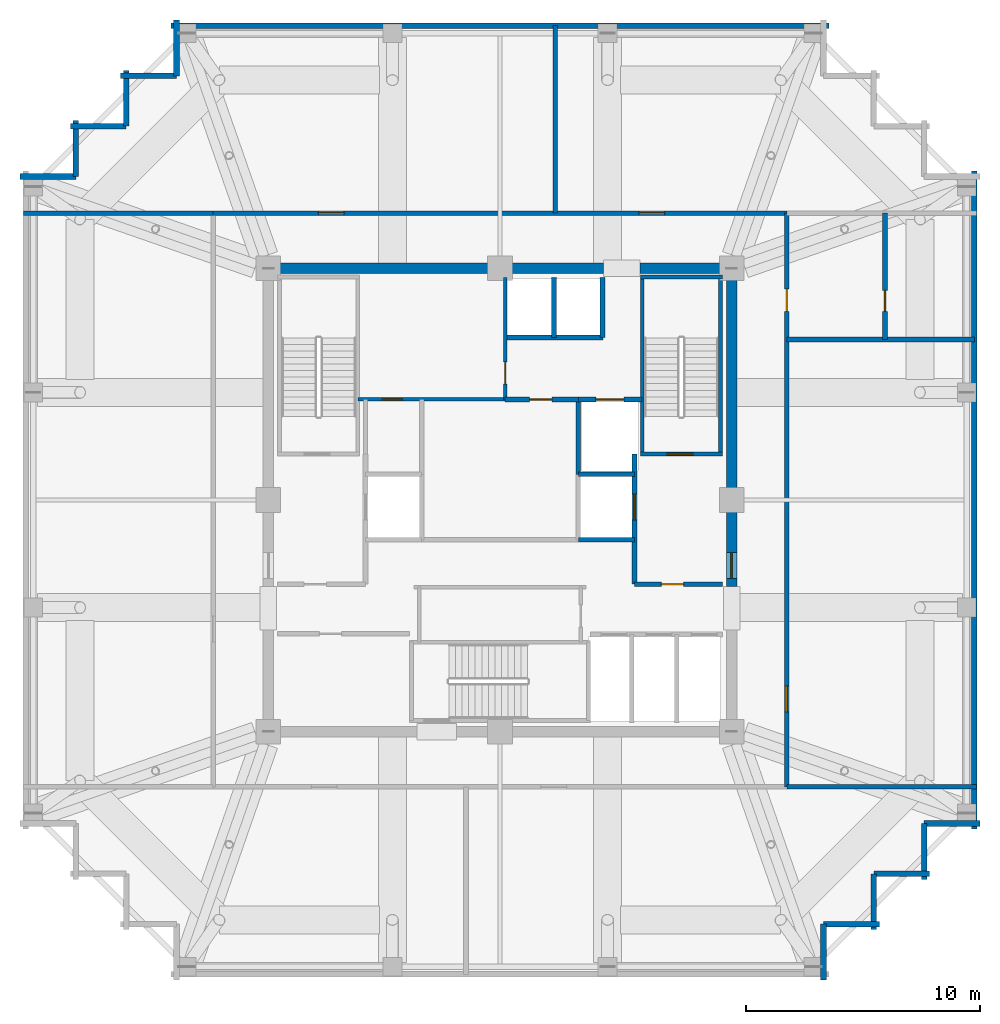
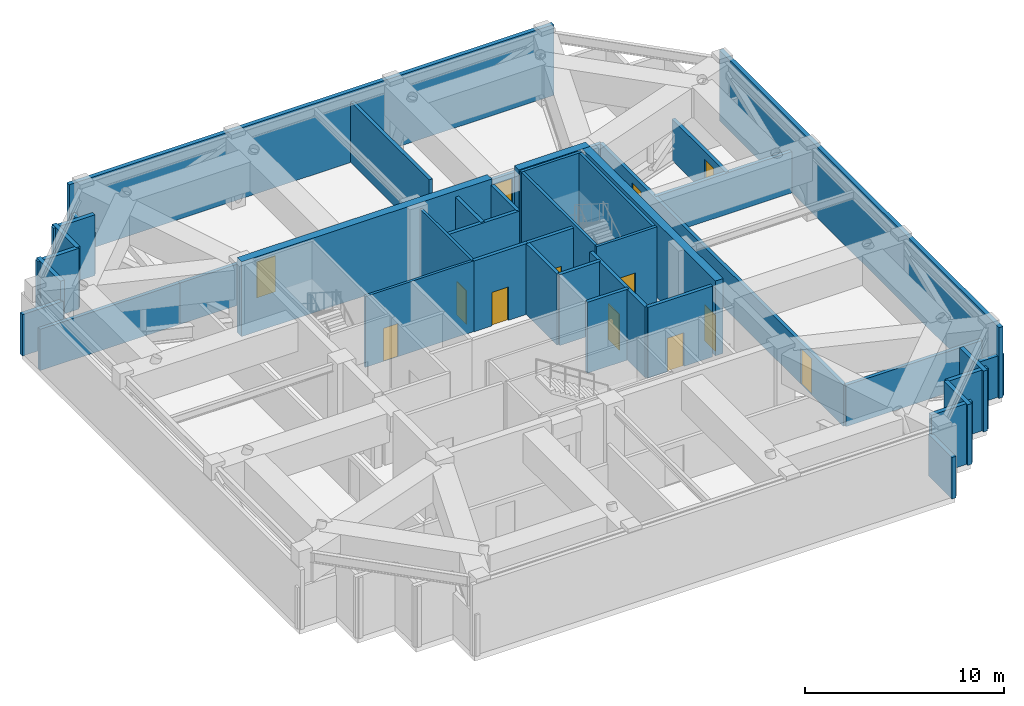
# One storey, part 12 of 14: 40 walls, 13 doors, 13 openings.
"""IFC4 building model written with IfcOpenShell, lengths in metres."""

import ifcopenshell
import ifcopenshell.guid

model = None  # the IFC model being written
_history = None  # IfcOwnerHistory: only IFC2X3 demands one
_inside = {}  # id of a spatial element -> (the spatial element, [elements in it])
_under = {}  # id of a project, library or spatial element -> (it, [spatial elements below it])
_declared = {}  # id of a project -> (the project, [libraries it declares])
_typed = {}  # id of a type object -> (the type object, [elements of that type])
_made_of = {}  # id of a material, layer set ... -> (it, [elements and type objects made of it])


def new_model(schema):
    """Start an empty IFC model of exactly this schema.

    Asked for "IFC4X3", IfcOpenShell would pick the latest addendum, in which some entities
    have other attributes; the version numbers below select the first issue.
    IFC2X3 requires an IfcOwnerHistory on every rooted entity: one is made here for all.
    """
    global model, _history
    if schema == "IFC4X3":
        model = ifcopenshell.file(schema_version=(4, 3, 0, 0))
    else:
        model = ifcopenshell.file(schema=schema)
    _inside.clear()
    _under.clear()
    _declared.clear()
    _typed.clear()
    _made_of.clear()
    _history = None
    if model.schema == "IFC2X3":
        org = make("IfcOrganization", Name="unknown")
        user = make(
            "IfcPersonAndOrganization",
            ThePerson=make("IfcPerson", FamilyName="unknown"),
            TheOrganization=org,
        )
        app = make(
            "IfcApplication",
            ApplicationDeveloper=org,
            Version="unknown",
            ApplicationFullName="unknown",
            ApplicationIdentifier="unknown",
        )
        _history = make(
            "IfcOwnerHistory",
            OwningUser=user,
            OwningApplication=app,
            ChangeAction="ADDED",
            CreationDate=0,
        )
    return model


def make(cls, **values):
    """One entity of the class cls with the attributes given. An attribute that is None is left unset."""
    return model.create_entity(
        cls, **{name: value for name, value in values.items() if value is not None}
    )


def rooted(cls, **values):
    """An entity with a GlobalId (a new one), such as an element, a storey or a relation."""
    return make(cls, GlobalId=ifcopenshell.guid.new(), OwnerHistory=_history, **values)


def si_unit(unit_type, name, prefix=None):
    """IfcSIUnit, for example si_unit("LENGTHUNIT", "METRE", prefix="MILLI")."""
    return make("IfcSIUnit", UnitType=unit_type, Prefix=prefix, Name=name)


def assignment(units):
    """IfcUnitAssignment: the units of a project."""
    return None if units is None else make("IfcUnitAssignment", Units=units)


def point(xyz):
    """IfcCartesianPoint."""
    return None if xyz is None else make("IfcCartesianPoint", Coordinates=xyz)


def direction(xyz):
    """IfcDirection."""
    return None if xyz is None else make("IfcDirection", DirectionRatios=xyz)


def frame(location, z_axis=None, x_axis=None):
    """IfcAxis2Placement3D, a coordinate frame: its origin and axes. An axis left out is left unset."""
    return make(
        "IfcAxis2Placement3D",
        Location=point(location),
        Axis=direction(z_axis),
        RefDirection=direction(x_axis),
    )


def frame_2d(location, x_axis=None):
    """IfcAxis2Placement2D, a coordinate frame in the plane: its origin and x axis."""
    return make(
        "IfcAxis2Placement2D", Location=point(location), RefDirection=direction(x_axis)
    )


def origin():
    """The frame at (0, 0, 0) with its axes left unset."""
    return frame((0.0, 0.0, 0.0))


def place(relative_to, where):
    """IfcLocalPlacement: puts the frame where relative to a parent placement (None: the world)."""
    return make(
        "IfcLocalPlacement", PlacementRelTo=relative_to, RelativePlacement=where
    )


def context(
    kind, dimensions, precision=None, world=None, true_north=None, identifier=None
):
    """IfcGeometricRepresentationContext, for example the 3D "Model" context."""
    return make(
        "IfcGeometricRepresentationContext",
        ContextIdentifier=identifier,
        ContextType=kind,
        CoordinateSpaceDimension=dimensions,
        Precision=precision,
        WorldCoordinateSystem=world,
        TrueNorth=true_north,
    )


def subcontext(parent, identifier, kind, view, scale=None):
    """IfcGeometricRepresentationSubContext, for example "Body" below "Model"."""
    return make(
        "IfcGeometricRepresentationSubContext",
        ContextIdentifier=identifier,
        ContextType=kind,
        ParentContext=parent,
        TargetScale=scale,
        TargetView=view,
    )


def project(units=None, contexts=None):
    """IfcProject with its units and contexts."""
    return rooted(
        "IfcProject",
        Name="project",
        RepresentationContexts=contexts,
        UnitsInContext=assignment(units),
    )


def spatial(cls, under=None, at=None, **own):
    """A site, building, storey or space (cls), placed at a placement, below another one or the project."""
    s = rooted(cls, ObjectPlacement=at, **own)
    if under is not None:
        _under.setdefault(under.id(), (under, []))[1].append(s)
    return s


def profile(cls, at=None, kind="AREA", **sizes):
    """A parametric profile (cls). Its sizes go by their IFC names, for example OverallWidth=200.0."""
    return make(cls, ProfileType=kind, Position=at, **sizes)


def rectangle(**sizes):
    """IfcRectangleProfileDef."""
    return profile("IfcRectangleProfileDef", **sizes)


def extrude(swept, where, along, depth):
    """IfcExtrudedAreaSolid: the profile swept, set in the frame where, extruded along a direction by depth."""
    return make(
        "IfcExtrudedAreaSolid",
        SweptArea=swept,
        Position=where,
        ExtrudedDirection=direction(along),
        Depth=depth,
    )


def shape(context_of_items, identifier, shape_type, items):
    """IfcShapeRepresentation: the items that make up one representation, for example the "Body"."""
    return make(
        "IfcShapeRepresentation",
        ContextOfItems=context_of_items,
        RepresentationIdentifier=identifier,
        RepresentationType=shape_type,
        Items=items,
    )


def material(Name=None, Category=None):
    """IfcMaterial."""
    return make("IfcMaterial", Name=Name, Category=Category)


def layer(
    of_material, thickness, ventilated=None, Name=None, Category=None, Priority=None
):
    """IfcMaterialLayer: one layer of a wall or slab, of a material (None: an air gap)."""
    return make(
        "IfcMaterialLayer",
        Material=of_material,
        LayerThickness=thickness,
        IsVentilated=ventilated,
        Name=Name,
        Category=Category,
        Priority=Priority,
    )


def layer_set(layers, Name=None):
    """IfcMaterialLayerSet."""
    return make("IfcMaterialLayerSet", MaterialLayers=layers, LayerSetName=Name)


def made_of(thing, what):
    """Note that an element or type object is made of a material, layer set ...; save() writes the relation."""
    if what is not None:
        _made_of.setdefault(what.id(), (what, []))[1].append(thing)
    return thing


def type_object(cls, material=None, **own):
    """A type object (cls), such as IfcWallType, which elements share."""
    return made_of(rooted(cls, **own), material)


def element(
    cls,
    number,
    at=None,
    inside=None,
    cuts=None,
    type_object=None,
    material=None,
    context=None,
    identifier="Body",
    shape_type=None,
    held_by="IfcProductDefinitionShape",
    body=None,
    shapes=None,
    **own,
):
    """One element of the class cls, such as IfcWall. Its Tag is "e" and its number.

    at: its placement. inside: the storey or other place that contains it. cuts: it is an
    opening in that element (IfcRelVoidsElement). A single representation is given by context,
    identifier, shape_type and body (its items); several are given by shapes. held_by: the class
    of the entity that holds the representations. save() writes the other relations.
    """
    e = rooted(cls, Tag="e%d" % number, ObjectPlacement=at, **own)
    if body is not None:
        shapes = [shape(context, identifier, shape_type, body)]
    if shapes is not None:
        e.Representation = make(held_by, Representations=shapes)
    if inside is not None:
        _inside.setdefault(inside.id(), (inside, []))[1].append(e)
    if cuts is not None:
        rooted(
            "IfcRelVoidsElement", RelatingBuildingElement=cuts, RelatedOpeningElement=e
        )
    if type_object is not None:
        _typed.setdefault(type_object.id(), (type_object, []))[1].append(e)
    return made_of(e, material)


def fill(opening, filler):
    """IfcRelFillsElement: the door or window that sits in an opening."""
    return rooted(
        "IfcRelFillsElement",
        RelatingOpeningElement=opening,
        RelatedBuildingElement=filler,
    )


def aggregate(whole, parts):
    """IfcRelAggregates: a whole, such as a stair, and the parts it consists of."""
    return rooted("IfcRelAggregates", RelatingObject=whole, RelatedObjects=parts)


def save(model, path):
    """Write the relations noted so far, then the file.

    IfcRelAggregates (storeys below a building ...), IfcRelContainedInSpatialStructure (elements
    in a storey), IfcRelDefinesByType, IfcRelAssociatesMaterial and IfcRelDeclares: one each for
    every whole, place, type object, material and project.
    """
    for whole, parts in _under.values():
        aggregate(whole, parts)
    for where, things in _inside.values():
        rooted(
            "IfcRelContainedInSpatialStructure",
            RelatedElements=things,
            RelatingStructure=where,
        )
    for kind, things in _typed.values():
        rooted("IfcRelDefinesByType", RelatedObjects=things, RelatingType=kind)
    for what, things in _made_of.values():
        rooted("IfcRelAssociatesMaterial", RelatedObjects=things, RelatingMaterial=what)
    for by, libraries in _declared.values():
        rooted("IfcRelDeclares", RelatingContext=by, RelatedDefinitions=libraries)
    model.write(path)


model = new_model("IFC4")

# Units and contexts
model_context = context("Model", 3, precision=1e-05, world=origin(), true_north=direction((0.0, 1.0)))
body_context = subcontext(model_context, "Body", "Model", "MODEL_VIEW")
ifc_project = project(units=[si_unit("LENGTHUNIT", "METRE"), si_unit("AREAUNIT", "SQUARE_METRE"), si_unit("VOLUMEUNIT", "CUBIC_METRE"), si_unit("PLANEANGLEUNIT", "RADIAN"), si_unit("MASSUNIT", "GRAM", prefix="KILO")], contexts=[model_context])

# Site, building, storey
site_placement = place(None, origin())
site = spatial("IfcSite", under=ifc_project, at=site_placement, CompositionType="ELEMENT")
building_placement = place(site_placement, origin())
building = spatial("IfcBuilding", under=site, at=building_placement, Name="Kolvaren Belvedere", CompositionType="ELEMENT")
storey_placement = place(building_placement, frame((0.0, 0.0, 232.800048828125)))
storey = spatial("IfcBuildingStorey", under=building, at=storey_placement, Name="L68", CompositionType="ELEMENT", Elevation=232.800048828125)

# Walls
ifc_material_1 = material(Name="Concrete C50/60", Category="concrete")
ifc_layer_1 = layer(ifc_material_1, 0.449951171875)
ifc_layer_set_1 = layer_set([ifc_layer_1], Name="Concrete C50/60")
wall_type_1 = type_object("IfcWallType", Name="CW-CORE-450", PredefinedType="SHEAR", material=ifc_layer_set_1)
wall_1_placement = place(storey_placement, frame((-10.125, 9.89990234375, 0.0), z_axis=(0.0, 0.0, 1.0), x_axis=(1.0, 0.0, 0.0)))
element("IfcWall", 1, at=wall_1_placement, inside=storey, type_object=wall_type_1, Name="L68 North Core Shear Wall 1", PredefinedType="SHEAR", context=body_context, shape_type="SweptSolid", body=[
    extrude(rectangle(XDim=14.544921875, YDim=0.449951171875, at=frame_2d((7.2724609375, 0.0))), origin(), (0.0, 0.0, 1.0), 4.599853515625),
])
wall_2_placement = place(storey_placement, frame((5.97998046875, 9.89990234375, 0.0), z_axis=(0.0, 0.0, 1.0), x_axis=(1.0, 0.0, 0.0)))
element("IfcWall", 2, at=wall_2_placement, inside=storey, type_object=wall_type_1, Name="L68 North Core Shear Wall 2", PredefinedType="SHEAR", context=body_context, shape_type="SweptSolid", body=[
    extrude(rectangle(XDim=4.14501953125, YDim=0.449951171875, at=frame_2d((2.072509765625, 0.0))), origin(), (0.0, 0.0, 1.0), 4.599853515625),
])

# Wall, opening, door
wall_3_placement = place(storey_placement, frame((9.89990234375, -3.699951171875, 0.0), z_axis=(0.0, 0.0, 1.0), x_axis=(0.0, 1.0, 0.0)))
wall_3 = element("IfcWall", 3, at=wall_3_placement, inside=storey, type_object=wall_type_1, Name="L68 East Core Shear Wall 2", PredefinedType="SHEAR", context=body_context, shape_type="SweptSolid", body=[
    extrude(rectangle(XDim=13.375, YDim=0.449951171875, at=frame_2d((6.6875, 0.0))), origin(), (0.0, 0.0, 1.0), 4.599853515625),
])
opening_1_placement = place(wall_3_placement, frame((0.35009765625, 0.0, 0.0)))
opening_1 = element("IfcOpeningElement", 4, at=opening_1_placement, cuts=wall_3, Name="Opening D-FD90", PredefinedType="OPENING", context=body_context, shape_type="SweptSolid", body=[
    extrude(rectangle(XDim=1.10009765625, YDim=2.199951171875, at=frame_2d((0.550048828125, 1.10009765625))), frame((0.0, 0.23486328125, 0.0), z_axis=(0.0, -1.0, 0.0), x_axis=(1.0, 0.0, 0.0)), (0.0, 0.0, 1.0), 0.469970703125),
])
ifc_material_2 = material(Name="Painted hollow stainless steel", Category="steel")
door_type_1 = type_object("IfcDoorType", Name="DR-FD90-1100", OperationType="NOTDEFINED", PredefinedType="DOOR", material=ifc_material_2)
door_1_placement = place(opening_1_placement, origin())
door_1 = element("IfcDoor", 5, at=door_1_placement, inside=storey, type_object=door_type_1, Name="L68 East Firefighting Lobby Fire Door", OperationType="SINGLE_SWING_RIGHT", OverallHeight=2.199951171875, OverallWidth=1.10009765625, PredefinedType="DOOR", context=body_context, shape_type="SweptSolid", body=[
    extrude(rectangle(XDim=1.10009765625, YDim=2.199951171875, at=frame_2d((0.550048828125, 1.10009765625))), frame((0.0, 0.02490234375, 0.0), z_axis=(0.0, -1.0, 0.0), x_axis=(1.0, 0.0, 0.0)), (0.0, 0.0, 1.0), 0.050048828125),
])
fill(opening_1, door_1)

ifc_material_3 = material(Name="Concrete C50/60", Category="concrete")
ifc_layer_2 = layer(ifc_material_3, 0.159912109375)
ifc_layer_set_2 = layer_set([ifc_layer_2], Name="Concrete C50/60")
wall_type_2 = type_object("IfcWallType", Name="CW-STAIR-160", PredefinedType="SHEAR", material=ifc_layer_set_2)
wall_4_placement = place(storey_placement, frame((6.0, 1.969970703125, 0.0), z_axis=(0.0, 0.0, 1.0), x_axis=(1.0, 0.0, 0.0)))
wall_4 = element("IfcWall", 6, at=wall_4_placement, inside=storey, type_object=wall_type_2, Name="L68 Stair ST-2 South Shear Wall", PredefinedType="SHEAR", context=body_context, shape_type="SweptSolid", body=[
    extrude(rectangle(XDim=3.52001953125, YDim=0.159912109375, at=frame_2d((1.760009765625, 0.0))), origin(), (0.0, 0.0, 1.0), 4.599853515625),
])
opening_2_placement = place(wall_4_placement, frame((1.14990234375, 0.0, 0.0)))
opening_2 = element("IfcOpeningElement", 7, at=opening_2_placement, cuts=wall_4, Name="Opening D-FD90", PredefinedType="OPENING", context=body_context, shape_type="SweptSolid", body=[
    extrude(rectangle(XDim=1.10009765625, YDim=2.199951171875, at=frame_2d((0.550048828125, 1.10009765625))), frame((0.0, 0.08984375, 0.0), z_axis=(0.0, -1.0, 0.0), x_axis=(1.0, 0.0, 0.0)), (0.0, 0.0, 1.0), 0.179931640625),
])
door_2_placement = place(opening_2_placement, origin())
door_2 = element("IfcDoor", 8, at=door_2_placement, inside=storey, type_object=door_type_1, Name="L68 Stair ST-2 Fire Door", OperationType="SINGLE_SWING_RIGHT", OverallHeight=2.199951171875, OverallWidth=1.10009765625, PredefinedType="DOOR", context=body_context, shape_type="SweptSolid", body=[
    extrude(rectangle(XDim=1.10009765625, YDim=2.199951171875, at=frame_2d((0.550048828125, 1.10009765625))), frame((0.0, 0.02490234375, 0.0), z_axis=(0.0, -1.0, 0.0), x_axis=(1.0, 0.0, 0.0)), (0.0, 0.0, 1.0), 0.050048828125),
])
fill(opening_2, door_2)

# Walls
wall_5_placement = place(storey_placement, frame((6.0, 9.530029296875, 0.0), z_axis=(0.0, 0.0, 1.0), x_axis=(1.0, 0.0, 0.0)))
element("IfcWall", 9, at=wall_5_placement, inside=storey, type_object=wall_type_2, Name="L68 Stair ST-2 North Shear Wall", PredefinedType="SHEAR", context=body_context, shape_type="SweptSolid", body=[
    extrude(rectangle(XDim=3.52001953125, YDim=0.159912109375, at=frame_2d((1.760009765625, 0.0))), origin(), (0.0, 0.0, 1.0), 4.599853515625),
])
for number, where, z_axis, x_axis, name in (
    (10, (6.080078125, 1.969970703125, 0.0), (0.0, 0.0, 1.0), (0.0, 1.0, 0.0), "L68 Stair ST-2 West Shear Wall"),
    (11, (9.429931640625, 1.969970703125, 0.0), (0.0, 0.0, 1.0), (0.0, 1.0, 0.0), "L68 Stair ST-2 East Shear Wall"),
):
    element("IfcWall", number, at=place(storey_placement, frame(where, z_axis=z_axis, x_axis=x_axis)), inside=storey, type_object=wall_type_2, Name=name, PredefinedType="SHEAR", context=body_context, shape_type="SweptSolid", body=[
        extrude(rectangle(XDim=7.56005859375, YDim=0.159912109375, at=frame_2d((3.780029296875, 0.0))), origin(), (0.0, 0.0, 1.0), 4.599853515625),
    ])
ifc_material_4 = material(Name="Insulated acoustic pale-metal louvre wall", Category="aluminium")
ifc_layer_3 = layer(ifc_material_4, 0.239990234375)
ifc_layer_set_3 = layer_set([ifc_layer_3], Name="Insulated acoustic pale-metal louvre wall")
wall_type_3 = type_object("IfcWallType", Name="WL-LOUV-240", PredefinedType="STANDARD", material=ifc_layer_set_3)
wall_6_placement = place(storey_placement, frame((13.830078125, -18.1298828125, 0.0), z_axis=(0.0, 0.0, 1.0), x_axis=(0.0, -1.0, 0.0)))
element("IfcWall", 12, at=wall_6_placement, inside=storey, type_object=wall_type_3, Name="L68 Acoustic Louvre Facade Wall 2", PredefinedType="STANDARD", context=body_context, shape_type="SweptSolid", body=[
    extrude(rectangle(XDim=2.39013671875, YDim=0.239990234375, at=frame_2d((1.195068359375, 0.0))), origin(), (0.0, 0.0, 1.0), 2.544921875),
])
wall_7_placement = place(storey_placement, frame((16.219970703125, -18.1298828125, 0.0), z_axis=(0.0, 0.0, 1.0), x_axis=(-1.0, 0.0, 0.0)))
element("IfcWall", 13, at=wall_7_placement, inside=storey, type_object=wall_type_3, Name="L68 Acoustic Louvre Facade Wall 3", PredefinedType="STANDARD", context=body_context, shape_type="SweptSolid", body=[
    extrude(rectangle(XDim=2.389892578125, YDim=0.239990234375, at=frame_2d((1.19482421875, 0.0))), origin(), (0.0, 0.0, 1.0), 3.73291015625),
])
for number, where, z_axis, x_axis, name in (
    (14, (15.97998046875, -15.97998046875, 0.0), (0.0, 0.0, 1.0), (0.0, -1.0, 0.0), "L68 Acoustic Louvre Facade Wall 4"),
    (15, (18.3701171875, -15.97998046875, 0.0), (0.0, 0.0, 1.0), (-1.0, 0.0, 0.0), "L68 Acoustic Louvre Facade Wall 5"),
):
    element("IfcWall", number, at=place(storey_placement, frame(where, z_axis=z_axis, x_axis=x_axis)), inside=storey, type_object=wall_type_3, Name=name, PredefinedType="STANDARD", context=body_context, shape_type="SweptSolid", body=[
        extrude(rectangle(XDim=2.39013671875, YDim=0.239990234375, at=frame_2d((1.195068359375, 0.0))), origin(), (0.0, 0.0, 1.0), 3.73291015625),
    ])
wall_8_placement = place(storey_placement, frame((18.1298828125, -13.830078125, 0.0), z_axis=(0.0, 0.0, 1.0), x_axis=(0.0, -1.0, 0.0)))
element("IfcWall", 16, at=wall_8_placement, inside=storey, type_object=wall_type_3, Name="L68 Acoustic Louvre Facade Wall 6", PredefinedType="STANDARD", context=body_context, shape_type="SweptSolid", body=[
    extrude(rectangle(XDim=2.389892578125, YDim=0.239990234375, at=frame_2d((1.19482421875, 0.0))), origin(), (0.0, 0.0, 1.0), 3.73291015625),
])
wall_9_placement = place(storey_placement, frame((20.52001953125, -13.830078125, 0.0), z_axis=(0.0, 0.0, 1.0), x_axis=(-1.0, 0.0, 0.0)))
element("IfcWall", 17, at=wall_9_placement, inside=storey, type_object=wall_type_3, Name="L68 Acoustic Louvre Facade Wall 7", PredefinedType="STANDARD", context=body_context, shape_type="SweptSolid", body=[
    extrude(rectangle(XDim=2.39013671875, YDim=0.239990234375, at=frame_2d((1.195068359375, 0.0))), origin(), (0.0, 0.0, 1.0), 2.544921875),
])
for number, where, z_axis, x_axis, name in (
    (18, (20.280029296875, 14.070068359375, 0.0), (0.0, 0.0, 1.0), (0.0, -1.0, 0.0), "L68 Acoustic Louvre Facade Wall 8"),
    (19, (-14.070068359375, 20.280029296875, 0.0), (0.0, 0.0, 1.0), (1.0, 0.0, 0.0), "L68 Acoustic Louvre Facade Wall 15"),
):
    element("IfcWall", number, at=place(storey_placement, frame(where, z_axis=z_axis, x_axis=x_axis)), inside=storey, type_object=wall_type_3, Name=name, PredefinedType="STANDARD", context=body_context, shape_type="SweptSolid", body=[
        extrude(rectangle(XDim=28.14013671875, YDim=0.239990234375, at=frame_2d((14.070068359375, 0.0))), origin(), (0.0, 0.0, 1.0), 4.349853515625),
    ])
wall_10_placement = place(storey_placement, frame((-13.830078125, 18.1298828125, 0.0), z_axis=(0.0, 0.0, 1.0), x_axis=(0.0, 1.0, 0.0)))
element("IfcWall", 20, at=wall_10_placement, inside=storey, type_object=wall_type_3, Name="L68 Acoustic Louvre Facade Wall 16", PredefinedType="STANDARD", context=body_context, shape_type="SweptSolid", body=[
    extrude(rectangle(XDim=2.39013671875, YDim=0.239990234375, at=frame_2d((1.195068359375, 0.0))), origin(), (0.0, 0.0, 1.0), 2.544921875),
])
wall_11_placement = place(storey_placement, frame((-16.219970703125, 18.1298828125, 0.0), z_axis=(0.0, 0.0, 1.0), x_axis=(1.0, 0.0, 0.0)))
element("IfcWall", 21, at=wall_11_placement, inside=storey, type_object=wall_type_3, Name="L68 Acoustic Louvre Facade Wall 17", PredefinedType="STANDARD", context=body_context, shape_type="SweptSolid", body=[
    extrude(rectangle(XDim=2.389892578125, YDim=0.239990234375, at=frame_2d((1.19482421875, 0.0))), origin(), (0.0, 0.0, 1.0), 3.73291015625),
])
for number, where, z_axis, x_axis, name in (
    (22, (-15.97998046875, 15.97998046875, 0.0), (0.0, 0.0, 1.0), (0.0, 1.0, 0.0), "L68 Acoustic Louvre Facade Wall 18"),
    (23, (-18.3701171875, 15.97998046875, 0.0), (0.0, 0.0, 1.0), (1.0, 0.0, 0.0), "L68 Acoustic Louvre Facade Wall 19"),
):
    element("IfcWall", number, at=place(storey_placement, frame(where, z_axis=z_axis, x_axis=x_axis)), inside=storey, type_object=wall_type_3, Name=name, PredefinedType="STANDARD", context=body_context, shape_type="SweptSolid", body=[
        extrude(rectangle(XDim=2.39013671875, YDim=0.239990234375, at=frame_2d((1.195068359375, 0.0))), origin(), (0.0, 0.0, 1.0), 3.73291015625),
    ])
wall_12_placement = place(storey_placement, frame((-18.1298828125, 13.830078125, 0.0), z_axis=(0.0, 0.0, 1.0), x_axis=(0.0, 1.0, 0.0)))
element("IfcWall", 24, at=wall_12_placement, inside=storey, type_object=wall_type_3, Name="L68 Acoustic Louvre Facade Wall 20", PredefinedType="STANDARD", context=body_context, shape_type="SweptSolid", body=[
    extrude(rectangle(XDim=2.389892578125, YDim=0.239990234375, at=frame_2d((1.19482421875, 0.0))), origin(), (0.0, 0.0, 1.0), 3.73291015625),
])
wall_13_placement = place(storey_placement, frame((-20.52001953125, 13.830078125, 0.0), z_axis=(0.0, 0.0, 1.0), x_axis=(1.0, 0.0, 0.0)))
element("IfcWall", 25, at=wall_13_placement, inside=storey, type_object=wall_type_3, Name="L68 Acoustic Louvre Facade Wall 21", PredefinedType="STANDARD", context=body_context, shape_type="SweptSolid", body=[
    extrude(rectangle(XDim=2.39013671875, YDim=0.239990234375, at=frame_2d((1.195068359375, 0.0))), origin(), (0.0, 0.0, 1.0), 2.544921875),
])

# Wall, opening, door
ifc_material_5 = material(Name="Gypsum acoustic partition assembly", Category="gypsum")
ifc_layer_4 = layer(ifc_material_5, 0.14990234375)
ifc_layer_set_4 = layer_set([ifc_layer_4], Name="Gypsum acoustic partition assembly")
wall_type_4 = type_object("IfcWallType", Name="WL-PART-150", PredefinedType="PARTITIONING", material=ifc_layer_set_4)
wall_14_placement = place(storey_placement, frame((-6.080078125, 4.300048828125, 0.0), z_axis=(0.0, 0.0, 1.0), x_axis=(1.0, 0.0, 0.0)))
wall_14 = element("IfcWall", 26, at=wall_14_placement, inside=storey, type_object=wall_type_4, Name="L68 Reclaimed Salon South Wall", PredefinedType="PARTITIONING", context=body_context, shape_type="SweptSolid", body=[
    extrude(rectangle(XDim=6.300048828125, YDim=0.14990234375, at=frame_2d((3.14990234375, 0.0))), origin(), (0.0, 0.0, 1.0), 4.349853515625),
])
opening_3_placement = place(wall_14_placement, frame((1.050048828125, 0.0, 0.0)))
opening_3 = element("IfcOpeningElement", 27, at=opening_3_placement, cuts=wall_14, Name="Opening D-INT85", PredefinedType="OPENING", context=body_context, shape_type="SweptSolid", body=[
    extrude(rectangle(XDim=0.85009765625, YDim=2.030029296875, at=frame_2d((0.425048828125, 1.01513671875))), frame((0.0, 0.0849609375, 0.0), z_axis=(0.0, -1.0, 0.0), x_axis=(1.0, 0.0, 0.0)), (0.0, 0.0, 1.0), 0.169921875),
])
ifc_material_6 = material(Name="Stained Pacific white oak", Category="timber")
door_type_2 = type_object("IfcDoorType", Name="DR-INT-850", OperationType="NOTDEFINED", PredefinedType="DOOR", material=ifc_material_6)
door_3_placement = place(opening_3_placement, origin())
door_3 = element("IfcDoor", 28, at=door_3_placement, inside=storey, type_object=door_type_2, Name="L68 NW Core Store Door", OperationType="SINGLE_SWING_RIGHT", OverallHeight=2.030029296875, OverallWidth=0.85009765625, PredefinedType="DOOR", context=body_context, shape_type="SweptSolid", body=[
    extrude(rectangle(XDim=0.85009765625, YDim=2.030029296875, at=frame_2d((0.425048828125, 1.01513671875))), frame((0.0, 0.02490234375, 0.0), z_axis=(0.0, -1.0, 0.0), x_axis=(1.0, 0.0, 0.0)), (0.0, 0.0, 1.0), 0.050048828125),
])
fill(opening_3, door_3)

wall_15_placement = place(storey_placement, frame((0.219970703125, 4.300048828125, 0.0), z_axis=(0.0, 0.0, 1.0), x_axis=(0.0, 1.0, 0.0)))
wall_15 = element("IfcWall", 29, at=wall_15_placement, inside=storey, type_object=wall_type_4, Name="L68 Reclaimed Salon East Wall", PredefinedType="PARTITIONING", context=body_context, shape_type="SweptSolid", body=[
    extrude(rectangle(XDim=5.219970703125, YDim=0.14990234375, at=frame_2d((2.60986328125, 0.0))), origin(), (0.0, 0.0, 1.0), 4.349853515625),
])
opening_4_placement = place(wall_15_placement, frame((0.64990234375, 0.0, 0.0)))
opening_4 = element("IfcOpeningElement", 30, at=opening_4_placement, cuts=wall_15, Name="Opening D-INT95", PredefinedType="OPENING", context=body_context, shape_type="SweptSolid", body=[
    extrude(rectangle(XDim=0.949951171875, YDim=2.06005859375, at=frame_2d((0.47509765625, 1.030029296875))), frame((0.0, 0.0849609375, 0.0), z_axis=(0.0, -1.0, 0.0), x_axis=(1.0, 0.0, 0.0)), (0.0, 0.0, 1.0), 0.169921875),
])
ifc_material_7 = material(Name="Stained Pacific white oak", Category="timber")
door_type_3 = type_object("IfcDoorType", Name="DR-INT-950", OperationType="NOTDEFINED", PredefinedType="DOOR", material=ifc_material_7)
door_4_placement = place(opening_4_placement, origin())
door_4 = element("IfcDoor", 31, at=door_4_placement, inside=storey, type_object=door_type_3, Name="L68 Telemetry & Controls Mechanical Plant Door", OperationType="SINGLE_SWING_LEFT", OverallHeight=2.06005859375, OverallWidth=0.949951171875, PredefinedType="DOOR", context=body_context, shape_type="SweptSolid", body=[
    extrude(rectangle(XDim=0.949951171875, YDim=2.06005859375, at=frame_2d((0.47509765625, 1.030029296875))), frame((0.0, 0.02490234375, 0.0), z_axis=(0.0, -1.0, 0.0), x_axis=(1.0, 0.0, 0.0)), (0.0, 0.0, 1.0), 0.050048828125),
])
fill(opening_4, door_4)

ifc_material_8 = material(Name="Concrete C50/60", Category="concrete")
ifc_layer_5 = layer(ifc_material_8, 0.199951171875)
ifc_layer_set_5 = layer_set([ifc_layer_5], Name="Concrete C50/60")
wall_type_5 = type_object("IfcWallType", Name="WL-SHAFT-200", PredefinedType="SOLIDWALL", material=ifc_layer_set_5)
wall_16_placement = place(storey_placement, frame((5.75, -3.60009765625, 0.0), z_axis=(0.0, 0.0, 1.0), x_axis=(1.0, 0.0, 0.0)))
wall_16 = element("IfcWall", 32, at=wall_16_placement, inside=storey, type_object=wall_type_5, Name="L68 East FSAE Lobby South Wall", PredefinedType="SOLIDWALL", context=body_context, shape_type="SweptSolid", body=[
    extrude(rectangle(XDim=3.77001953125, YDim=0.199951171875, at=frame_2d((1.885009765625, 0.0))), origin(), (0.0, 0.0, 1.0), 4.349853515625),
])
opening_5_placement = place(wall_16_placement, frame((1.14990234375, 0.0, 0.0)))
opening_5 = element("IfcOpeningElement", 33, at=opening_5_placement, cuts=wall_16, Name="Opening D-FD60", PredefinedType="OPENING", context=body_context, shape_type="SweptSolid", body=[
    extrude(rectangle(XDim=0.949951171875, YDim=2.06005859375, at=frame_2d((0.47509765625, 1.030029296875))), frame((0.0, 0.10986328125, 0.0), z_axis=(0.0, -1.0, 0.0), x_axis=(1.0, 0.0, 0.0)), (0.0, 0.0, 1.0), 0.219970703125),
])
ifc_material_9 = material(Name="Acoustic white-oak fire door leaf", Category="timber")
door_type_4 = type_object("IfcDoorType", Name="DR-FD60-950", OperationType="NOTDEFINED", PredefinedType="DOOR", material=ifc_material_9)
door_5_placement = place(opening_5_placement, origin())
door_5 = element("IfcDoor", 34, at=door_5_placement, inside=storey, type_object=door_type_4, Name="L68 SE Lift Lobby Fire Door", OperationType="SINGLE_SWING_RIGHT", OverallHeight=2.06005859375, OverallWidth=0.949951171875, PredefinedType="DOOR", context=body_context, shape_type="SweptSolid", body=[
    extrude(rectangle(XDim=0.949951171875, YDim=2.06005859375, at=frame_2d((0.47509765625, 1.030029296875))), frame((0.0, 0.02490234375, 0.0), z_axis=(0.0, -1.0, 0.0), x_axis=(1.0, 0.0, 0.0)), (0.0, 0.0, 1.0), 0.050048828125),
])
fill(opening_5, door_5)

wall_17_placement = place(storey_placement, frame((5.75, -3.60009765625, 0.0), z_axis=(0.0, 0.0, 1.0), x_axis=(0.0, 1.0, 0.0)))
wall_17 = element("IfcWall", 35, at=wall_17_placement, inside=storey, type_object=wall_type_5, Name="L68 FSAE FS2 Landing Wall", PredefinedType="SOLIDWALL", context=body_context, shape_type="SweptSolid", body=[
    extrude(rectangle(XDim=5.570068359375, YDim=0.199951171875, at=frame_2d((2.78515625, 0.0))), origin(), (0.0, 0.0, 1.0), 4.349853515625),
])
opening_6_placement = place(wall_17_placement, frame((2.75, 0.0, 0.0)))
opening_6 = element("IfcOpeningElement", 36, at=opening_6_placement, cuts=wall_17, Name="Opening LD-11", PredefinedType="OPENING", context=body_context, shape_type="SweptSolid", body=[
    extrude(rectangle(XDim=1.10009765625, YDim=2.199951171875, at=frame_2d((0.550048828125, 1.10009765625))), frame((0.0, 0.10986328125, 0.0), z_axis=(0.0, -1.0, 0.0), x_axis=(1.0, 0.0, 0.0)), (0.0, 0.0, 1.0), 0.219970703125),
])
ifc_material_10 = material(Name="Brushed stainless steel", Category="steel")
door_type_5 = type_object("IfcDoorType", Name="DR-LIFT-1100", OperationType="DOUBLE_DOOR_SLIDING", PredefinedType="DOOR", material=ifc_material_10)
door_6_placement = place(opening_6_placement, origin())
door_6 = element("IfcDoor", 37, at=door_6_placement, inside=storey, type_object=door_type_5, Name="L68 Firefighting Lift FS2 Landing Door", OperationType="DOUBLE_DOOR_SLIDING", OverallHeight=2.199951171875, OverallWidth=1.10009765625, PredefinedType="DOOR", context=body_context, shape_type="SweptSolid", body=[
    extrude(rectangle(XDim=1.10009765625, YDim=2.199951171875, at=frame_2d((0.550048828125, 1.10009765625))), frame((0.0, 0.02490234375, 0.0), z_axis=(0.0, -1.0, 0.0), x_axis=(1.0, 0.0, 0.0)), (0.0, 0.0, 1.0), 0.050048828125),
])
fill(opening_6, door_6)

# Walls
for number, where, z_axis, x_axis, name in (
    (38, (3.35009765625, -1.699951171875, 0.0), (0.0, 0.0, 1.0), (1.0, 0.0, 0.0), "L68 FSAE FS2 South Wall"),
    (39, (3.35009765625, 1.10009765625, 0.0), (0.0, 0.0, 1.0), (1.0, 0.0, 0.0), "L68 FSAE FS2 North Wall"),
):
    element("IfcWall", number, at=place(storey_placement, frame(where, z_axis=z_axis, x_axis=x_axis)), inside=storey, type_object=wall_type_5, Name=name, PredefinedType="SOLIDWALL", context=body_context, shape_type="SweptSolid", body=[
        extrude(rectangle(XDim=2.39990234375, YDim=0.199951171875, at=frame_2d((1.199951171875, 0.0))), origin(), (0.0, 0.0, 1.0), 4.349853515625),
    ])

# Wall, opening, door
wall_18_placement = place(storey_placement, frame((3.35009765625, 4.300048828125, 0.0), z_axis=(0.0, 0.0, 1.0), x_axis=(1.0, 0.0, 0.0)))
wall_18 = element("IfcWall", 40, at=wall_18_placement, inside=storey, type_object=wall_type_5, Name="L68 Service Lift SV1 Front Wall", PredefinedType="SOLIDWALL", context=body_context, shape_type="SweptSolid", body=[
    extrude(rectangle(XDim=2.72998046875, YDim=0.199951171875, at=frame_2d((1.364990234375, 0.0))), origin(), (0.0, 0.0, 1.0), 4.349853515625),
])
opening_7_placement = place(wall_18_placement, frame((0.75, 0.0, 0.0)))
opening_7 = element("IfcOpeningElement", 41, at=opening_7_placement, cuts=wall_18, Name="Opening LD-12", PredefinedType="OPENING", context=body_context, shape_type="SweptSolid", body=[
    extrude(rectangle(XDim=1.199951171875, YDim=2.25, at=frame_2d((0.60009765625, 1.125))), frame((0.0, 0.10986328125, 0.0), z_axis=(0.0, -1.0, 0.0), x_axis=(1.0, 0.0, 0.0)), (0.0, 0.0, 1.0), 0.219970703125),
])
ifc_material_11 = material(Name="Brushed stainless steel", Category="steel")
door_type_6 = type_object("IfcDoorType", Name="DR-LIFT-1200", OperationType="DOUBLE_DOOR_SLIDING", PredefinedType="DOOR", material=ifc_material_11)
door_7_placement = place(opening_7_placement, origin())
door_7 = element("IfcDoor", 42, at=door_7_placement, inside=storey, type_object=door_type_6, Name="L68 Service Lift SV1 Landing Door", OperationType="DOUBLE_DOOR_SLIDING", OverallHeight=2.25, OverallWidth=1.199951171875, PredefinedType="DOOR", context=body_context, shape_type="SweptSolid", body=[
    extrude(rectangle(XDim=1.199951171875, YDim=2.25, at=frame_2d((0.60009765625, 1.125))), frame((0.0, 0.02490234375, 0.0), z_axis=(0.0, -1.0, 0.0), x_axis=(1.0, 0.0, 0.0)), (0.0, 0.0, 1.0), 0.050048828125),
])
fill(opening_7, door_7)

# Walls
wall_19_placement = place(storey_placement, frame((0.219970703125, 6.949951171875, 0.0), z_axis=(0.0, 0.0, 1.0), x_axis=(1.0, 0.0, 0.0)))
element("IfcWall", 43, at=wall_19_placement, inside=storey, type_object=wall_type_5, Name="L68 Express Shuttle Hoistway Wall", PredefinedType="SOLIDWALL", context=body_context, shape_type="SweptSolid", body=[
    extrude(rectangle(XDim=4.179931640625, YDim=0.199951171875, at=frame_2d((2.08984375, 0.0))), origin(), (0.0, 0.0, 1.0), 4.349853515625),
])
for number, where, z_axis, x_axis, name in (
    (44, (4.3798828125, 6.949951171875, 0.0), (0.0, 0.0, 1.0), (0.0, 1.0, 0.0), "L68 Express Shuttle East Wall"),
    (45, (2.31005859375, 6.949951171875, 0.0), (0.0, 0.0, 1.0), (0.0, 1.0, 0.0), "L68 Express Shuttle Divider"),
):
    element("IfcWall", number, at=place(storey_placement, frame(where, z_axis=z_axis, x_axis=x_axis)), inside=storey, type_object=wall_type_5, Name=name, PredefinedType="SOLIDWALL", context=body_context, shape_type="SweptSolid", body=[
        extrude(rectangle(XDim=2.570068359375, YDim=0.199951171875, at=frame_2d((1.28515625, 0.0))), origin(), (0.0, 0.0, 1.0), 4.349853515625),
    ])

# Wall, opening, door
wall_20_placement = place(storey_placement, frame((0.219970703125, 4.300048828125, 0.0), z_axis=(0.0, 0.0, 1.0), x_axis=(1.0, 0.0, 0.0)))
wall_20 = element("IfcWall", 46, at=wall_20_placement, inside=storey, type_object=wall_type_5, Name="L68 Central Core Room North Wall", PredefinedType="SOLIDWALL", context=body_context, shape_type="SweptSolid", body=[
    extrude(rectangle(XDim=3.130126953125, YDim=0.199951171875, at=frame_2d((1.56494140625, 0.0))), origin(), (0.0, 0.0, 1.0), 4.349853515625),
])
opening_8_placement = place(wall_20_placement, frame((1.050048828125, 0.0, 0.0)))
opening_8 = element("IfcOpeningElement", 47, at=opening_8_placement, cuts=wall_20, Name="Opening D-FD60", PredefinedType="OPENING", context=body_context, shape_type="SweptSolid", body=[
    extrude(rectangle(XDim=0.949951171875, YDim=2.06005859375, at=frame_2d((0.47509765625, 1.030029296875))), frame((0.0, 0.10986328125, 0.0), z_axis=(0.0, -1.0, 0.0), x_axis=(1.0, 0.0, 0.0)), (0.0, 0.0, 1.0), 0.219970703125),
])
door_8_placement = place(opening_8_placement, origin())
door_8 = element("IfcDoor", 48, at=door_8_placement, inside=storey, type_object=door_type_4, Name="L68 Central Core Controls Door", OperationType="SINGLE_SWING_LEFT", OverallHeight=2.06005859375, OverallWidth=0.949951171875, PredefinedType="DOOR", context=body_context, shape_type="SweptSolid", body=[
    extrude(rectangle(XDim=0.949951171875, YDim=2.06005859375, at=frame_2d((0.47509765625, 1.030029296875))), frame((0.0, 0.02490234375, 0.0), z_axis=(0.0, -1.0, 0.0), x_axis=(1.0, 0.0, 0.0)), (0.0, 0.0, 1.0), 0.050048828125),
])
fill(opening_8, door_8)

# Wall
wall_21_placement = place(storey_placement, frame((3.35009765625, 1.10009765625, 0.0), z_axis=(0.0, 0.0, 1.0), x_axis=(0.0, 1.0, 0.0)))
element("IfcWall", 49, at=wall_21_placement, inside=storey, type_object=wall_type_5, Name="L68 Central Core Room East Wall", PredefinedType="SOLIDWALL", context=body_context, shape_type="SweptSolid", body=[
    extrude(rectangle(XDim=3.199951171875, YDim=0.199951171875, at=frame_2d((1.60009765625, 0.0))), origin(), (0.0, 0.0, 1.0), 4.349853515625),
])

# Wall, openings, doors
wall_22_placement = place(storey_placement, frame((-12.260009765625, 12.260009765625, 0.0), z_axis=(0.0, 0.0, 1.0), x_axis=(1.0, 0.0, 0.0)))
wall_22 = element("IfcWall", 50, at=wall_22_placement, inside=storey, type_object=wall_type_5, Name="L68 North Corridor Wall", PredefinedType="SOLIDWALL", context=body_context, shape_type="SweptSolid", body=[
    extrude(rectangle(XDim=24.52001953125, YDim=0.199951171875, at=frame_2d((12.260009765625, 0.0))), origin(), (0.0, 0.0, 1.0), 2.534912109375),
])
opening_9_placement = place(wall_22_placement, frame((4.5, 0.0, 0.0)))
opening_9 = element("IfcOpeningElement", 51, at=opening_9_placement, cuts=wall_22, Name="Opening D-FD90", PredefinedType="OPENING", context=body_context, shape_type="SweptSolid", body=[
    extrude(rectangle(XDim=1.10009765625, YDim=2.199951171875, at=frame_2d((0.550048828125, 1.10009765625))), frame((0.0, 0.10986328125, 0.0), z_axis=(0.0, -1.0, 0.0), x_axis=(1.0, 0.0, 0.0)), (0.0, 0.0, 1.0), 0.219970703125),
])
opening_10_placement = place(wall_22_placement, frame((18.199951171875, 0.0, 0.0)))
opening_10 = element("IfcOpeningElement", 52, at=opening_10_placement, cuts=wall_22, Name="Opening D-FD90", PredefinedType="OPENING", context=body_context, shape_type="SweptSolid", body=[
    extrude(rectangle(XDim=1.10009765625, YDim=2.199951171875, at=frame_2d((0.550048828125, 1.10009765625))), frame((0.0, 0.10986328125, 0.0), z_axis=(0.0, -1.0, 0.0), x_axis=(1.0, 0.0, 0.0)), (0.0, 0.0, 1.0), 0.219970703125),
])
door_9_placement = place(opening_9_placement, origin())
door_9 = element("IfcDoor", 53, at=door_9_placement, inside=storey, type_object=door_type_1, Name="L68 North Pressurised Area of Refuge Door", OperationType="SINGLE_SWING_RIGHT", OverallHeight=2.199951171875, OverallWidth=1.10009765625, PredefinedType="DOOR", context=body_context, shape_type="SweptSolid", body=[
    extrude(rectangle(XDim=1.10009765625, YDim=2.199951171875, at=frame_2d((0.550048828125, 1.10009765625))), frame((0.0, 0.02490234375, 0.0), z_axis=(0.0, -1.0, 0.0), x_axis=(1.0, 0.0, 0.0)), (0.0, 0.0, 1.0), 0.050048828125),
])
fill(opening_9, door_9)
door_10_placement = place(opening_10_placement, origin())
door_10 = element("IfcDoor", 54, at=door_10_placement, inside=storey, type_object=door_type_1, Name="L68 Domestic Booster Pump Mechanical Plant Door", OperationType="SINGLE_SWING_LEFT", OverallHeight=2.199951171875, OverallWidth=1.10009765625, PredefinedType="DOOR", context=body_context, shape_type="SweptSolid", body=[
    extrude(rectangle(XDim=1.10009765625, YDim=2.199951171875, at=frame_2d((0.550048828125, 1.10009765625))), frame((0.0, 0.02490234375, 0.0), z_axis=(0.0, -1.0, 0.0), x_axis=(1.0, 0.0, 0.0)), (0.0, 0.0, 1.0), 0.050048828125),
])
fill(opening_10, door_10)

wall_23_placement = place(storey_placement, frame((12.260009765625, -12.260009765625, 0.0), z_axis=(0.0, 0.0, 1.0), x_axis=(0.0, 1.0, 0.0)))
wall_23 = element("IfcWall", 55, at=wall_23_placement, inside=storey, type_object=wall_type_5, Name="L68 East Corridor Wall", PredefinedType="SOLIDWALL", context=body_context, shape_type="SweptSolid", body=[
    extrude(rectangle(XDim=24.52001953125, YDim=0.199951171875, at=frame_2d((12.260009765625, 0.0))), origin(), (0.0, 0.0, 1.0), 2.534912109375),
])
opening_11_placement = place(wall_23_placement, frame((3.199951171875, 0.0, 0.0)))
opening_11 = element("IfcOpeningElement", 56, at=opening_11_placement, cuts=wall_23, Name="Opening D-FD90", PredefinedType="OPENING", context=body_context, shape_type="SweptSolid", body=[
    extrude(rectangle(XDim=1.10009765625, YDim=2.199951171875, at=frame_2d((0.550048828125, 1.10009765625))), frame((0.0, 0.10986328125, 0.0), z_axis=(0.0, -1.0, 0.0), x_axis=(1.0, 0.0, 0.0)), (0.0, 0.0, 1.0), 0.219970703125),
])
opening_12_placement = place(wall_23_placement, frame((20.320068359375, 0.0, 0.0)))
opening_12 = element("IfcOpeningElement", 57, at=opening_12_placement, cuts=wall_23, Name="Opening D-INT95", PredefinedType="OPENING", context=body_context, shape_type="SweptSolid", body=[
    extrude(rectangle(XDim=0.949951171875, YDim=2.06005859375, at=frame_2d((0.47509765625, 1.030029296875))), frame((0.0, 0.10986328125, 0.0), z_axis=(0.0, -1.0, 0.0), x_axis=(1.0, 0.0, 0.0)), (0.0, 0.0, 1.0), 0.219970703125),
])
door_11_placement = place(opening_11_placement, origin())
door_11 = element("IfcDoor", 58, at=door_11_placement, inside=storey, type_object=door_type_1, Name="L68 High-Zone Substation Mechanical Plant Door", OperationType="SINGLE_SWING_RIGHT", OverallHeight=2.199951171875, OverallWidth=1.10009765625, PredefinedType="DOOR", context=body_context, shape_type="SweptSolid", body=[
    extrude(rectangle(XDim=1.10009765625, YDim=2.199951171875, at=frame_2d((0.550048828125, 1.10009765625))), frame((0.0, 0.02490234375, 0.0), z_axis=(0.0, -1.0, 0.0), x_axis=(1.0, 0.0, 0.0)), (0.0, 0.0, 1.0), 0.050048828125),
])
fill(opening_11, door_11)
door_12_placement = place(opening_12_placement, origin())
door_12 = element("IfcDoor", 59, at=door_12_placement, inside=storey, type_object=door_type_3, Name="L68 Staff Accessible Washroom Door", OperationType="SINGLE_SWING_LEFT", OverallHeight=2.06005859375, OverallWidth=0.949951171875, PredefinedType="DOOR", context=body_context, shape_type="SweptSolid", body=[
    extrude(rectangle(XDim=0.949951171875, YDim=2.06005859375, at=frame_2d((0.47509765625, 1.030029296875))), frame((0.0, 0.02490234375, 0.0), z_axis=(0.0, -1.0, 0.0), x_axis=(1.0, 0.0, 0.0)), (0.0, 0.0, 1.0), 0.050048828125),
])
fill(opening_12, door_12)

# Walls
for number, where, z_axis, x_axis, name in (
    (60, (12.260009765625, -12.260009765625, 0.0), (0.0, 0.0, 1.0), (1.0, 0.0, 0.0), "L68 Sector Wall PW-L68-QSE"),
    (61, (-20.3798828125, 12.260009765625, 0.0), (0.0, 0.0, 1.0), (1.0, 0.0, 0.0), "L68 Sector Wall PW-L68-QNW"),
):
    element("IfcWall", number, at=place(storey_placement, frame(where, z_axis=z_axis, x_axis=x_axis)), inside=storey, type_object=wall_type_5, Name=name, PredefinedType="SOLIDWALL", context=body_context, shape_type="SweptSolid", body=[
        extrude(rectangle(XDim=8.119873046875, YDim=0.199951171875, at=frame_2d((4.06005859375, 0.0))), origin(), (0.0, 0.0, 1.0), 2.534912109375),
    ])
wall_24_placement = place(storey_placement, frame((12.260009765625, 6.860107421875, 0.0), z_axis=(0.0, 0.0, 1.0), x_axis=(1.0, 0.0, 0.0)))
element("IfcWall", 62, at=wall_24_placement, inside=storey, type_object=wall_type_5, Name="L68 East Plant WC Wall", PredefinedType="SOLIDWALL", context=body_context, shape_type="SweptSolid", body=[
    extrude(rectangle(XDim=8.02001953125, YDim=0.199951171875, at=frame_2d((4.010009765625, 0.0))), origin(), (0.0, 0.0, 1.0), 2.534912109375),
])

# Wall, opening, door
wall_25_placement = place(storey_placement, frame((16.4599609375, 6.860107421875, 0.0), z_axis=(0.0, 0.0, 1.0), x_axis=(0.0, 1.0, 0.0)))
wall_25 = element("IfcWall", 63, at=wall_25_placement, inside=storey, type_object=wall_type_5, Name="L68 Staff WC Back Wall", PredefinedType="SOLIDWALL", context=body_context, shape_type="SweptSolid", body=[
    extrude(rectangle(XDim=5.39990234375, YDim=0.199951171875, at=frame_2d((2.699951171875, 0.0))), origin(), (0.0, 0.0, 1.0), 2.534912109375),
])
opening_13_placement = place(wall_25_placement, frame((1.199951171875, 0.0, 0.0)))
opening_13 = element("IfcOpeningElement", 64, at=opening_13_placement, cuts=wall_25, Name="Opening D-INT90", PredefinedType="OPENING", context=body_context, shape_type="SweptSolid", body=[
    extrude(rectangle(XDim=0.89990234375, YDim=2.06005859375, at=frame_2d((0.449951171875, 1.030029296875))), frame((0.0, 0.10986328125, 0.0), z_axis=(0.0, -1.0, 0.0), x_axis=(1.0, 0.0, 0.0)), (0.0, 0.0, 1.0), 0.219970703125),
])
ifc_material_12 = material(Name="Stained Pacific white oak", Category="timber")
door_type_7 = type_object("IfcDoorType", Name="DR-INT-900", OperationType="NOTDEFINED", PredefinedType="DOOR", material=ifc_material_12)
door_13_placement = place(opening_13_placement, origin())
door_13 = element("IfcDoor", 65, at=door_13_placement, inside=storey, type_object=door_type_7, Name="L68 Filter & Controls Mechanical Plant Door", OperationType="SINGLE_SWING_RIGHT", OverallHeight=2.06005859375, OverallWidth=0.89990234375, PredefinedType="DOOR", context=body_context, shape_type="SweptSolid", body=[
    extrude(rectangle(XDim=0.89990234375, YDim=2.06005859375, at=frame_2d((0.449951171875, 1.030029296875))), frame((0.0, 0.02490234375, 0.0), z_axis=(0.0, -1.0, 0.0), x_axis=(1.0, 0.0, 0.0)), (0.0, 0.0, 1.0), 0.050048828125),
])
fill(opening_13, door_13)

# Wall
wall_26_placement = place(storey_placement, frame((2.364990234375, 12.260009765625, 0.0), z_axis=(0.0, 0.0, 1.0), x_axis=(0.0, 1.0, 0.0)))
element("IfcWall", 66, at=wall_26_placement, inside=storey, type_object=wall_type_5, Name="L68 North Plant Wall", PredefinedType="SOLIDWALL", context=body_context, shape_type="SweptSolid", body=[
    extrude(rectangle(XDim=8.02001953125, YDim=0.199951171875, at=frame_2d((4.010009765625, 0.0))), origin(), (0.0, 0.0, 1.0), 3.722900390625),
])

save(model, "model.ifc")
